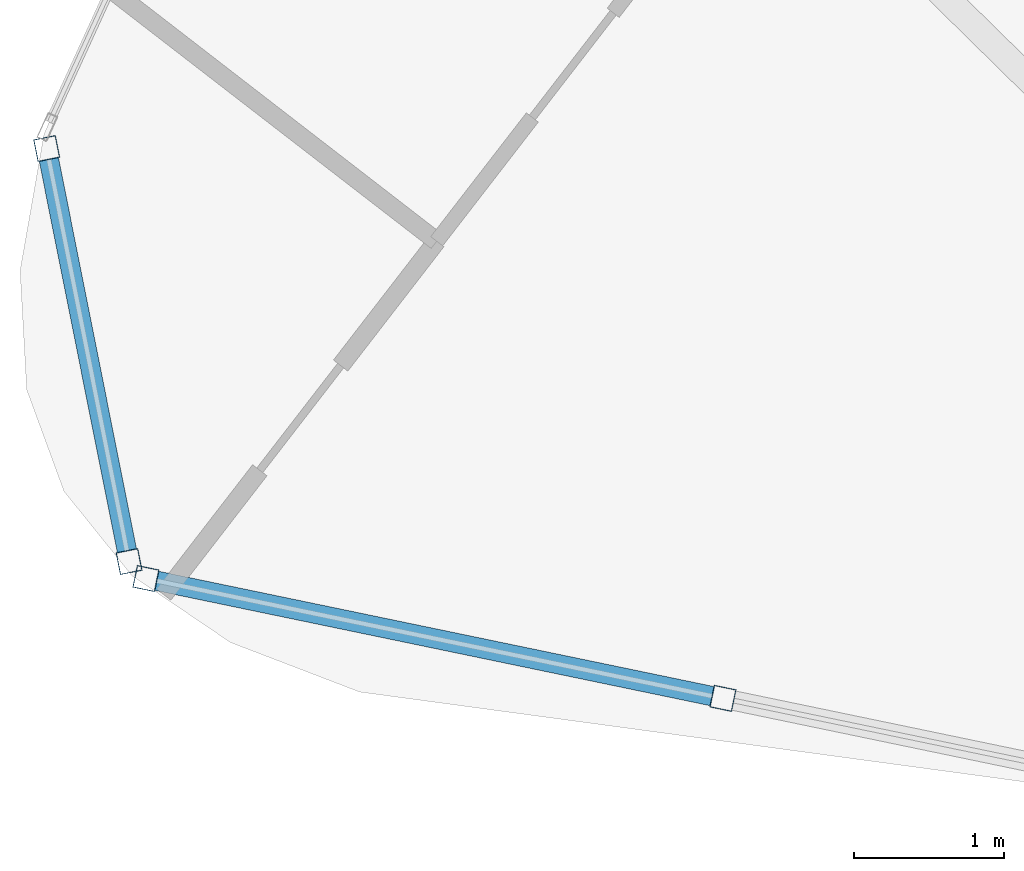
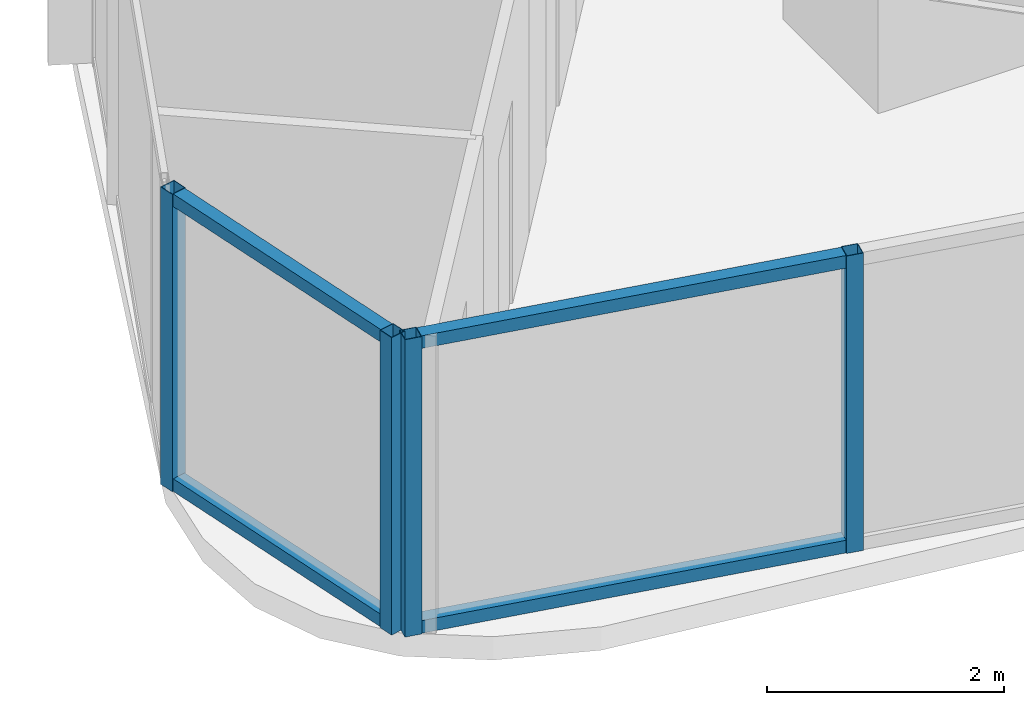
# One storey, part 2 of 34: 8 members, 2 elements without a shape of their own.
"""IFC4 building model written with IfcOpenShell, lengths in metres."""

from ifc_helpers import new_model, si_unit, direction, frame, origin, origin_2d, place, context, subcontext, project, spatial, hollow_rectangle, extrude, material, layer, layer_set, material_profile, profile_set, type_object, element, aggregate, save


model = new_model("IFC4")

# Units and contexts
model_context = context("Model", 3, precision=1e-05, world=origin(), true_north=direction((0.0, 1.0)))
body_context = subcontext(model_context, "Body", "Model", "MODEL_VIEW")
ifc_project = project(units=[si_unit("LENGTHUNIT", "METRE"), si_unit("AREAUNIT", "SQUARE_METRE"), si_unit("VOLUMEUNIT", "CUBIC_METRE"), si_unit("PLANEANGLEUNIT", "RADIAN"), si_unit("MASSUNIT", "GRAM", prefix="KILO")], contexts=[model_context])

# Site, building, storey
site_placement = place(None, origin())
site = spatial("IfcSite", under=ifc_project, at=site_placement, CompositionType="ELEMENT")
building_placement = place(site_placement, origin())
building = spatial("IfcBuilding", under=site, at=building_placement, Name="Orvanel Arch Residences", CompositionType="ELEMENT")
storey_placement = place(building_placement, frame((0.0, 0.0, 74.14990234375)))
storey = spatial("IfcBuildingStorey", under=building, at=storey_placement, Name="L20", CompositionType="ELEMENT", Elevation=74.14990234375)

# Curtain wall, members
ifc_material = material(Name="Bronze-anodised aluminium AA6063-T6", Category="aluminium")
ifc_layer = layer(ifc_material, 0.18994140625)
ifc_layer_set = layer_set([ifc_layer], Name="Bronze-anodised aluminium AA6063-T6")
curtain_wall_type = type_object("IfcCurtainWallType", Name="CW5-CRN-SYS", PredefinedType="NOTDEFINED", material=ifc_layer_set)
curtain_wall_1_placement = place(storey_placement, origin())
curtain_wall_1 = element("IfcCurtainWall", 1, at=curtain_wall_1_placement, inside=storey, type_object=curtain_wall_type, Name="L20 CW5-CRN-SYS Unitised Curtain Wall", PredefinedType="NOTDEFINED")
ifc_material_profile_1 = material_profile(ifc_material, hollow_rectangle(XDim=0.14990234375, YDim=0.14990234375, WallThickness=0.0048828125, at=origin_2d()), Name="ALU150x150x5")
ifc_profile_set_1 = profile_set([ifc_material_profile_1], Name="Bronze-anodised aluminium AA6063-T6")
member_type_1 = type_object("IfcMemberType", Name="MUL-150x150", PredefinedType="MULLION", material=ifc_profile_set_1)
member_1_placement = place(storey_placement, frame((5.528564453125, 7.802490234375, 0.0), z_axis=(0.0, 0.0, 1.0), x_axis=(0.980697802401, 0.19552958949, 0.0)))
member_1 = element("IfcMember", 2, at=member_1_placement, type_object=member_type_1, Name="CW-S5 mullion 1", PredefinedType="MULLION", context=body_context, shape_type="SweptSolid", body=[
    extrude(hollow_rectangle(XDim=0.14990234375, YDim=0.14990234375, WallThickness=0.0048828125, at=origin_2d()), origin(), (0.0, 0.0, 1.0), 3.06005859375),
])
member_2_placement = place(storey_placement, frame((6.076416015625, 5.0556640625, 0.0), z_axis=(0.0, 0.0, 1.0), x_axis=(0.980697802401, 0.19552958949, 0.0)))
member_2 = element("IfcMember", 3, at=member_2_placement, type_object=member_type_1, Name="CW-S5 mullion 2", PredefinedType="MULLION", context=body_context, shape_type="SweptSolid", body=[
    extrude(hollow_rectangle(XDim=0.14990234375, YDim=0.14990234375, WallThickness=0.0048828125, at=origin_2d()), origin(), (0.0, 0.0, 1.0), 3.06005859375),
])

curtain_wall_2_placement = place(storey_placement, origin())
curtain_wall_2 = element("IfcCurtainWall", 4, at=curtain_wall_2_placement, inside=storey, type_object=curtain_wall_type, Name="L20 CW5-CRN-SYS Unitised Curtain Wall", PredefinedType="NOTDEFINED")
member_3_placement = place(storey_placement, frame((6.1884765625, 4.94287109375, 0.0), z_axis=(0.0, 0.0, 1.0), x_axis=(0.203284384132, 0.97911973689, 0.0)))
member_3 = element("IfcMember", 5, at=member_3_placement, type_object=member_type_1, Name="CW-S5 mullion 1", PredefinedType="MULLION", context=body_context, shape_type="SweptSolid", body=[
    extrude(hollow_rectangle(XDim=0.14990234375, YDim=0.14990234375, WallThickness=0.0048828125, at=origin_2d()), origin(), (0.0, 0.0, 1.0), 3.06005859375),
])
member_4_placement = place(storey_placement, frame((10.02587890625, 4.14599609375, 0.0), z_axis=(0.0, 0.0, 1.0), x_axis=(0.203284384132, 0.97911973689, 0.0)))
member_4 = element("IfcMember", 6, at=member_4_placement, type_object=member_type_1, Name="CW-S5 mullion 2", PredefinedType="MULLION", context=body_context, shape_type="SweptSolid", body=[
    extrude(hollow_rectangle(XDim=0.14990234375, YDim=0.14990234375, WallThickness=0.0048828125, at=origin_2d()), origin(), (0.0, 0.0, 1.0), 3.06005859375),
])

# Member
ifc_material_profile_2 = material_profile(ifc_material, hollow_rectangle(XDim=0.1298828125, YDim=0.1298828125, WallThickness=0.00439453125, at=origin_2d()), Name="ALU130x130x4.5")
ifc_profile_set_2 = profile_set([ifc_material_profile_2], Name="Bronze-anodised aluminium AA6063-T6")
member_type_2 = type_object("IfcMemberType", Name="TRN-130x130", PredefinedType="USERDEFINED", material=ifc_profile_set_2)
member_5_placement = place(storey_placement, frame((5.543212890625, 7.72900390625, 0.065185546875), z_axis=(0.195602520569, -0.980683258727, 0.0), x_axis=(0.980683258727, 0.195602520569, 0.0)))
member_5 = element("IfcMember", 7, at=member_5_placement, type_object=member_type_2, Name="CW-S5 transom 1.1", ObjectType="TRANSOM", PredefinedType="USERDEFINED", context=body_context, shape_type="SweptSolid", body=[
    extrude(hollow_rectangle(XDim=0.1298828125, YDim=0.1298828125, WallThickness=0.00439453125, at=origin_2d()), origin(), (0.0, 0.0, 1.0), 2.651123046875),
])

member_6_placement = place(storey_placement, frame((5.543212890625, 7.72900390625, 2.9951171875), z_axis=(0.195602520569, -0.980683258727, 0.0), x_axis=(0.980683258727, 0.195602520569, 0.0)))
member_6 = element("IfcMember", 8, at=member_6_placement, type_object=member_type_2, Name="CW-S5 transom 1.2", ObjectType="TRANSOM", PredefinedType="USERDEFINED", context=body_context, shape_type="SweptSolid", body=[
    extrude(hollow_rectangle(XDim=0.1298828125, YDim=0.1298828125, WallThickness=0.00439453125, at=origin_2d()), origin(), (0.0, 0.0, 1.0), 2.651123046875),
])

aggregate(curtain_wall_1, [member_1, member_2, member_5, member_6])

member_7_placement = place(storey_placement, frame((6.261962890625, 4.927490234375, 0.065185546875), z_axis=(0.979114380147, -0.20331018319, 0.0), x_axis=(0.20331018319, 0.979114380147, 0.0)))
member_7 = element("IfcMember", 9, at=member_7_placement, type_object=member_type_2, Name="CW-S5 transom 1.1", ObjectType="TRANSOM", PredefinedType="USERDEFINED", context=body_context, shape_type="SweptSolid", body=[
    extrude(hollow_rectangle(XDim=0.1298828125, YDim=0.1298828125, WallThickness=0.00439453125, at=origin_2d()), origin(), (0.0, 0.0, 1.0), 3.769287109375),
])

member_8_placement = place(storey_placement, frame((6.261962890625, 4.927490234375, 2.9951171875), z_axis=(0.979114380147, -0.20331018319, 0.0), x_axis=(0.20331018319, 0.979114380147, 0.0)))
member_8 = element("IfcMember", 10, at=member_8_placement, type_object=member_type_2, Name="CW-S5 transom 1.2", ObjectType="TRANSOM", PredefinedType="USERDEFINED", context=body_context, shape_type="SweptSolid", body=[
    extrude(hollow_rectangle(XDim=0.1298828125, YDim=0.1298828125, WallThickness=0.00439453125, at=origin_2d()), origin(), (0.0, 0.0, 1.0), 3.769287109375),
])

aggregate(curtain_wall_2, [member_3, member_4, member_7, member_8])

save(model, "model.ifc")
